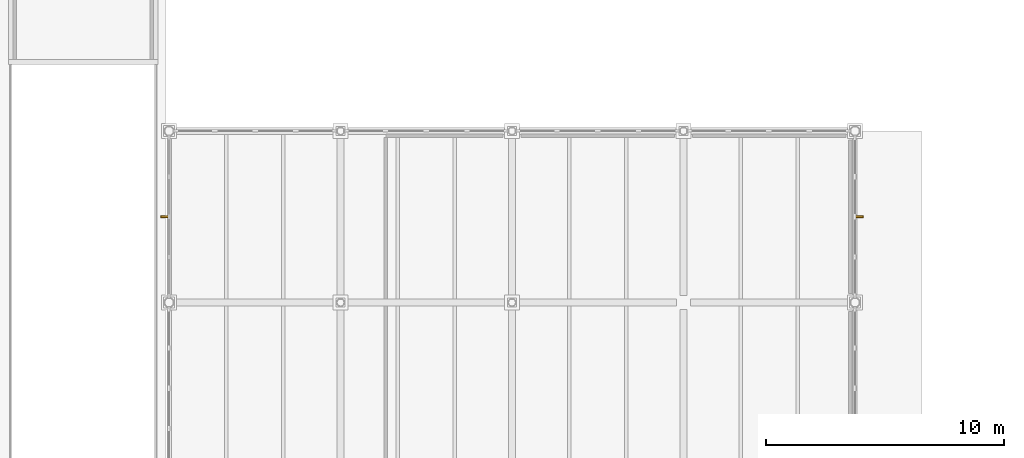
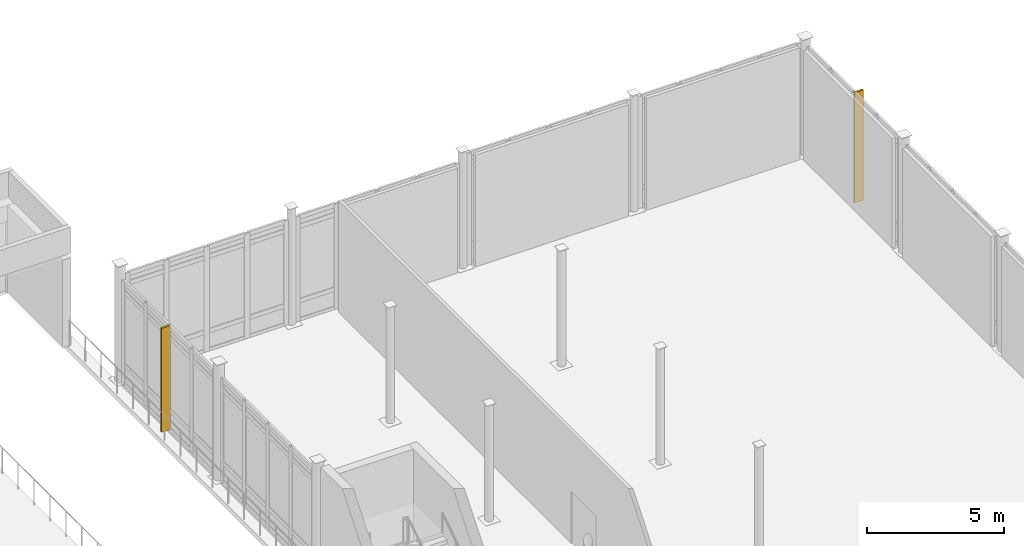
# One storey, part 86 of 89: 2 shading devices.
"""IFC4 building model written with IfcOpenShell, lengths in metres."""

import ifcopenshell
import ifcopenshell.guid

model = None  # the IFC model being written
_history = None  # IfcOwnerHistory: only IFC2X3 demands one
_inside = {}  # id of a spatial element -> (the spatial element, [elements in it])
_under = {}  # id of a project, library or spatial element -> (it, [spatial elements below it])
_declared = {}  # id of a project -> (the project, [libraries it declares])
_typed = {}  # id of a type object -> (the type object, [elements of that type])
_made_of = {}  # id of a material, layer set ... -> (it, [elements and type objects made of it])


def new_model(schema):
    """Start an empty IFC model of exactly this schema.

    Asked for "IFC4X3", IfcOpenShell would pick the latest addendum, in which some entities
    have other attributes; the version numbers below select the first issue.
    IFC2X3 requires an IfcOwnerHistory on every rooted entity: one is made here for all.
    """
    global model, _history
    if schema == "IFC4X3":
        model = ifcopenshell.file(schema_version=(4, 3, 0, 0))
    else:
        model = ifcopenshell.file(schema=schema)
    _inside.clear()
    _under.clear()
    _declared.clear()
    _typed.clear()
    _made_of.clear()
    _history = None
    if model.schema == "IFC2X3":
        org = make("IfcOrganization", Name="unknown")
        user = make(
            "IfcPersonAndOrganization",
            ThePerson=make("IfcPerson", FamilyName="unknown"),
            TheOrganization=org,
        )
        app = make(
            "IfcApplication",
            ApplicationDeveloper=org,
            Version="unknown",
            ApplicationFullName="unknown",
            ApplicationIdentifier="unknown",
        )
        _history = make(
            "IfcOwnerHistory",
            OwningUser=user,
            OwningApplication=app,
            ChangeAction="ADDED",
            CreationDate=0,
        )
    return model


def make(cls, **values):
    """One entity of the class cls with the attributes given. An attribute that is None is left unset."""
    return model.create_entity(
        cls, **{name: value for name, value in values.items() if value is not None}
    )


def rooted(cls, **values):
    """An entity with a GlobalId (a new one), such as an element, a storey or a relation."""
    return make(cls, GlobalId=ifcopenshell.guid.new(), OwnerHistory=_history, **values)


def si_unit(unit_type, name, prefix=None):
    """IfcSIUnit, for example si_unit("LENGTHUNIT", "METRE", prefix="MILLI")."""
    return make("IfcSIUnit", UnitType=unit_type, Prefix=prefix, Name=name)


def assignment(units):
    """IfcUnitAssignment: the units of a project."""
    return None if units is None else make("IfcUnitAssignment", Units=units)


def point(xyz):
    """IfcCartesianPoint."""
    return None if xyz is None else make("IfcCartesianPoint", Coordinates=xyz)


def direction(xyz):
    """IfcDirection."""
    return None if xyz is None else make("IfcDirection", DirectionRatios=xyz)


def frame(location, z_axis=None, x_axis=None):
    """IfcAxis2Placement3D, a coordinate frame: its origin and axes. An axis left out is left unset."""
    return make(
        "IfcAxis2Placement3D",
        Location=point(location),
        Axis=direction(z_axis),
        RefDirection=direction(x_axis),
    )


def frame_2d(location, x_axis=None):
    """IfcAxis2Placement2D, a coordinate frame in the plane: its origin and x axis."""
    return make(
        "IfcAxis2Placement2D", Location=point(location), RefDirection=direction(x_axis)
    )


def origin():
    """The frame at (0, 0, 0) with its axes left unset."""
    return frame((0.0, 0.0, 0.0))


def origin_2d():
    """The frame at (0, 0) in the plane with its x axis left unset."""
    return frame_2d((0.0, 0.0))


def place(relative_to, where):
    """IfcLocalPlacement: puts the frame where relative to a parent placement (None: the world)."""
    return make(
        "IfcLocalPlacement", PlacementRelTo=relative_to, RelativePlacement=where
    )


def context(
    kind, dimensions, precision=None, world=None, true_north=None, identifier=None
):
    """IfcGeometricRepresentationContext, for example the 3D "Model" context."""
    return make(
        "IfcGeometricRepresentationContext",
        ContextIdentifier=identifier,
        ContextType=kind,
        CoordinateSpaceDimension=dimensions,
        Precision=precision,
        WorldCoordinateSystem=world,
        TrueNorth=true_north,
    )


def subcontext(parent, identifier, kind, view, scale=None):
    """IfcGeometricRepresentationSubContext, for example "Body" below "Model"."""
    return make(
        "IfcGeometricRepresentationSubContext",
        ContextIdentifier=identifier,
        ContextType=kind,
        ParentContext=parent,
        TargetScale=scale,
        TargetView=view,
    )


def project(units=None, contexts=None):
    """IfcProject with its units and contexts."""
    return rooted(
        "IfcProject",
        Name="project",
        RepresentationContexts=contexts,
        UnitsInContext=assignment(units),
    )


def spatial(cls, under=None, at=None, **own):
    """A site, building, storey or space (cls), placed at a placement, below another one or the project."""
    s = rooted(cls, ObjectPlacement=at, **own)
    if under is not None:
        _under.setdefault(under.id(), (under, []))[1].append(s)
    return s


def profile(cls, at=None, kind="AREA", **sizes):
    """A parametric profile (cls). Its sizes go by their IFC names, for example OverallWidth=200.0."""
    return make(cls, ProfileType=kind, Position=at, **sizes)


def rectangle(**sizes):
    """IfcRectangleProfileDef."""
    return profile("IfcRectangleProfileDef", **sizes)


def extrude(swept, where, along, depth):
    """IfcExtrudedAreaSolid: the profile swept, set in the frame where, extruded along a direction by depth."""
    return make(
        "IfcExtrudedAreaSolid",
        SweptArea=swept,
        Position=where,
        ExtrudedDirection=direction(along),
        Depth=depth,
    )


def shape(context_of_items, identifier, shape_type, items):
    """IfcShapeRepresentation: the items that make up one representation, for example the "Body"."""
    return make(
        "IfcShapeRepresentation",
        ContextOfItems=context_of_items,
        RepresentationIdentifier=identifier,
        RepresentationType=shape_type,
        Items=items,
    )


def material(Name=None, Category=None):
    """IfcMaterial."""
    return make("IfcMaterial", Name=Name, Category=Category)


def made_of(thing, what):
    """Note that an element or type object is made of a material, layer set ...; save() writes the relation."""
    if what is not None:
        _made_of.setdefault(what.id(), (what, []))[1].append(thing)
    return thing


def type_object(cls, material=None, **own):
    """A type object (cls), such as IfcWallType, which elements share."""
    return made_of(rooted(cls, **own), material)


def element(
    cls,
    number,
    at=None,
    inside=None,
    cuts=None,
    type_object=None,
    material=None,
    context=None,
    identifier="Body",
    shape_type=None,
    held_by="IfcProductDefinitionShape",
    body=None,
    shapes=None,
    **own,
):
    """One element of the class cls, such as IfcWall. Its Tag is "e" and its number.

    at: its placement. inside: the storey or other place that contains it. cuts: it is an
    opening in that element (IfcRelVoidsElement). A single representation is given by context,
    identifier, shape_type and body (its items); several are given by shapes. held_by: the class
    of the entity that holds the representations. save() writes the other relations.
    """
    e = rooted(cls, Tag="e%d" % number, ObjectPlacement=at, **own)
    if body is not None:
        shapes = [shape(context, identifier, shape_type, body)]
    if shapes is not None:
        e.Representation = make(held_by, Representations=shapes)
    if inside is not None:
        _inside.setdefault(inside.id(), (inside, []))[1].append(e)
    if cuts is not None:
        rooted(
            "IfcRelVoidsElement", RelatingBuildingElement=cuts, RelatedOpeningElement=e
        )
    if type_object is not None:
        _typed.setdefault(type_object.id(), (type_object, []))[1].append(e)
    return made_of(e, material)


def aggregate(whole, parts):
    """IfcRelAggregates: a whole, such as a stair, and the parts it consists of."""
    return rooted("IfcRelAggregates", RelatingObject=whole, RelatedObjects=parts)


def save(model, path):
    """Write the relations noted so far, then the file.

    IfcRelAggregates (storeys below a building ...), IfcRelContainedInSpatialStructure (elements
    in a storey), IfcRelDefinesByType, IfcRelAssociatesMaterial and IfcRelDeclares: one each for
    every whole, place, type object, material and project.
    """
    for whole, parts in _under.values():
        aggregate(whole, parts)
    for where, things in _inside.values():
        rooted(
            "IfcRelContainedInSpatialStructure",
            RelatedElements=things,
            RelatingStructure=where,
        )
    for kind, things in _typed.values():
        rooted("IfcRelDefinesByType", RelatedObjects=things, RelatingType=kind)
    for what, things in _made_of.values():
        rooted("IfcRelAssociatesMaterial", RelatedObjects=things, RelatingMaterial=what)
    for by, libraries in _declared.values():
        rooted("IfcRelDeclares", RelatingContext=by, RelatedDefinitions=libraries)
    model.write(path)


model = new_model("IFC4")

# Units and contexts
model_context = context("Model", 3, precision=1e-05, world=origin(), true_north=direction((0.0, 1.0)))
body_context = subcontext(model_context, "Body", "Model", "MODEL_VIEW")
ifc_project = project(units=[si_unit("LENGTHUNIT", "METRE"), si_unit("AREAUNIT", "SQUARE_METRE"), si_unit("VOLUMEUNIT", "CUBIC_METRE"), si_unit("PLANEANGLEUNIT", "RADIAN"), si_unit("MASSUNIT", "GRAM", prefix="KILO")], contexts=[model_context])

# Site, building, storey
site_placement = place(None, origin())
site = spatial("IfcSite", under=ifc_project, at=site_placement, CompositionType="ELEMENT")
building_placement = place(site_placement, origin())
building = spatial("IfcBuilding", under=site, at=building_placement, Name="Zarrinpeak Specialist Clinic", CompositionType="ELEMENT")
storey_placement = place(building_placement, origin())
storey = spatial("IfcBuildingStorey", under=building, at=storey_placement, Name="L00", CompositionType="ELEMENT", Elevation=0.0)

# Shading devices
ifc_material = material(Name="Anodised Bronze Aluminium", Category="aluminium")
shading_device_type = type_object("IfcShadingDeviceType", Name="SHD-FIN-BZ", PredefinedType="JALOUSIE", material=ifc_material)
shading_device_1_placement = place(storey_placement, frame((93.43505859375, 68.39990234375, -0.014892578125), z_axis=(0.0, 0.0, 1.0), x_axis=(1.0, 0.0, 0.0)))
element("IfcShadingDevice", 1, at=shading_device_1_placement, inside=storey, type_object=shading_device_type, Name="L00 V3 Solar Control Fin FIN-059", PredefinedType="JALOUSIE", context=body_context, shape_type="SweptSolid", body=[
    extrude(rectangle(XDim=0.3798828125, YDim=0.074951171875, at=origin_2d()), origin(), (0.0, 0.0, 1.0), 4.625),
])
shading_device_2_placement = place(storey_placement, frame((122.56494140625, 68.39990234375, -0.01513671875), z_axis=(0.0, 0.0, 1.0), x_axis=(1.0, 0.0, 0.0)))
element("IfcShadingDevice", 2, at=shading_device_2_placement, inside=storey, type_object=shading_device_type, Name="L00 V3 Solar Control Fin FIN-062", PredefinedType="JALOUSIE", context=body_context, shape_type="SweptSolid", body=[
    extrude(rectangle(XDim=0.3798828125, YDim=0.074951171875, at=origin_2d()), origin(), (0.0, 0.0, 1.0), 4.905029296875),
])

save(model, "model.ifc")
